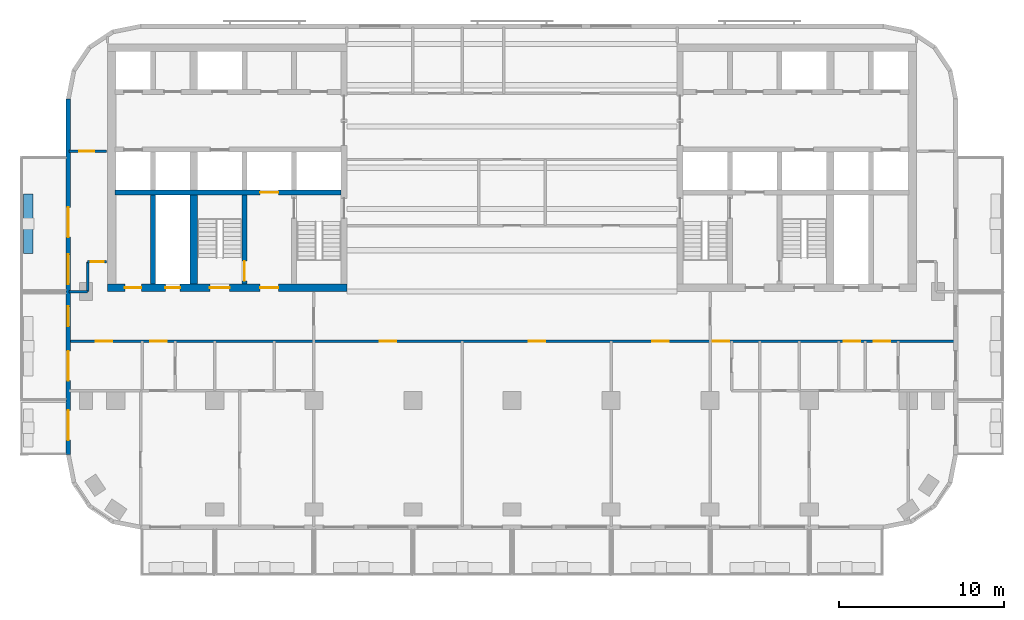
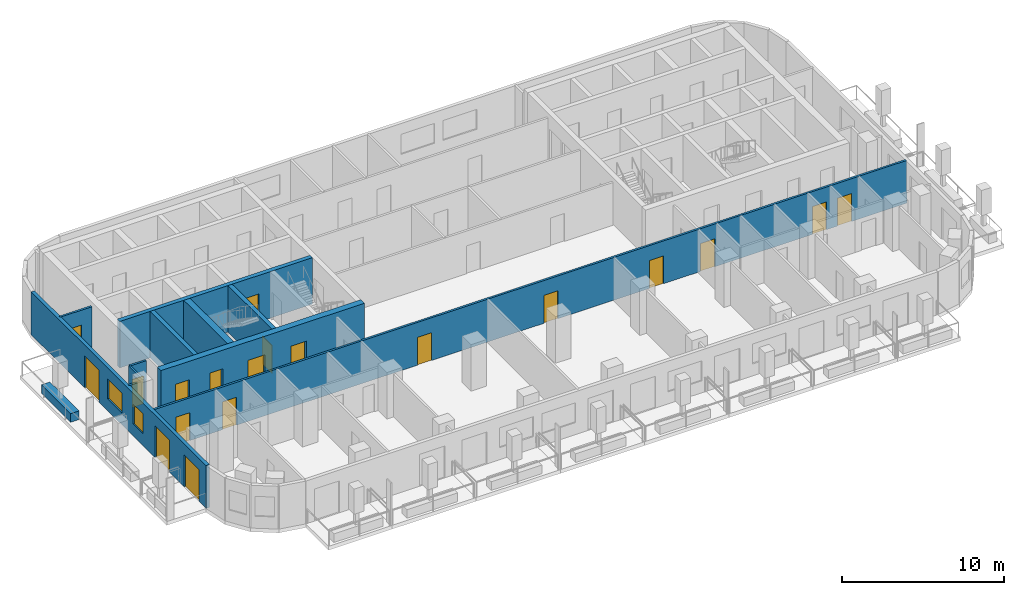
# One storey, part 3 of 11: 19 doors, 12 walls, 2 windows, 21 openings.
"""IFC4 building model written with IfcOpenShell, lengths in metres."""

from ifc_helpers import new_model, si_unit, direction, frame, frame_2d, origin, place, context, subcontext, project, spatial, rectangle, extrude, material, layer, layer_set, type_object, element, fill, save


model = new_model("IFC4")

# Units and contexts
model_context = context("Model", 3, precision=1e-05, world=origin(), true_north=direction((0.0, 1.0)))
body_context = subcontext(model_context, "Body", "Model", "MODEL_VIEW")
ifc_project = project(units=[si_unit("LENGTHUNIT", "METRE"), si_unit("AREAUNIT", "SQUARE_METRE"), si_unit("VOLUMEUNIT", "CUBIC_METRE"), si_unit("PLANEANGLEUNIT", "RADIAN"), si_unit("MASSUNIT", "GRAM", prefix="KILO")], contexts=[model_context])

# Site, building, storey
site_placement = place(None, origin())
site = spatial("IfcSite", under=ifc_project, at=site_placement, CompositionType="ELEMENT")
building_placement = place(site_placement, origin())
building = spatial("IfcBuilding", under=site, at=building_placement, Name="Torana Hotel and Residences", CompositionType="ELEMENT")
storey_placement = place(building_placement, frame((0.0, 0.0, 232.60009765625)))
storey = spatial("IfcBuildingStorey", under=building, at=storey_placement, Name="L61", CompositionType="ELEMENT", Elevation=232.60009765625)

# Wall, opening, door
ifc_material_1 = material(Name="Concrete C70/85", Category="concrete")
ifc_layer_1 = layer(ifc_material_1, 0.300048828125)
ifc_layer_set_1 = layer_set([ifc_layer_1], Name="CORE WALL 300 C70/85")
wall_type_1 = type_object("IfcWallType", Name="CORE WALL 300 C70/85", PredefinedType="SHEAR", material=ifc_layer_set_1)
wall_1_placement = place(storey_placement, frame((-24.050048828125, -9.0, 0.0), z_axis=(0.0, 0.0, 1.0), x_axis=(1.0, 0.0, 0.0)))
wall_1 = element("IfcWall", 1, at=wall_1_placement, inside=storey, type_object=wall_type_1, Name="Core wall W band", PredefinedType="SHEAR", context=body_context, shape_type="SweptSolid", body=[
    extrude(rectangle(XDim=13.699951171875, YDim=0.300048828125, at=frame_2d((6.85009765625, 0.0))), origin(), (0.0, 0.0, 1.0), 3.5),
])
opening_1_placement = place(wall_1_placement, frame((8.800048828125, 0.0, 0.0)))
opening_1 = element("IfcOpeningElement", 2, at=opening_1_placement, cuts=wall_1, Name="Opening LD", PredefinedType="OPENING", context=body_context, shape_type="SweptSolid", body=[
    extrude(rectangle(XDim=1.10009765625, YDim=2.10009765625, at=frame_2d((0.550048828125, 1.050048828125))), frame((0.0, 0.159912109375, 0.0), z_axis=(0.0, -1.0, 0.0), x_axis=(1.0, 0.0, 0.0)), (0.0, 0.0, 1.0), 0.320068359375),
])
ifc_material_2 = material(Name="Stainless steel 316", Category="steel")
door_type_1 = type_object("IfcDoorType", Name="LIFT LANDING DOOR LD 1100x2100", OperationType="DOUBLE_DOOR_SLIDING", PredefinedType="USERDEFINED", material=ifc_material_2)
door_1_placement = place(opening_1_placement, origin())
door_1 = element("IfcDoor", 3, at=door_1_placement, inside=storey, type_object=door_type_1, Name="Lift landing door FF1 L61", ObjectType="LIFT LANDING DOOR", OperationType="DOUBLE_DOOR_SLIDING", OverallHeight=2.10009765625, OverallWidth=1.10009765625, PredefinedType="USERDEFINED", context=body_context, shape_type="SweptSolid", body=[
    extrude(rectangle(XDim=1.10009765625, YDim=2.10009765625, at=frame_2d((0.550048828125, 1.050048828125))), frame((0.0, 0.02490234375, 0.0), z_axis=(0.0, -1.0, 0.0), x_axis=(1.0, 0.0, 0.0)), (0.0, 0.0, 1.0), 0.050048828125),
])
fill(opening_1, door_1)

wall_2_placement = place(storey_placement, frame((-16.199951171875, -14.550048828125, 0.0), z_axis=(0.0, 0.0, 1.0), x_axis=(0.0, 1.0, 0.0)))
wall_2 = element("IfcWall", 4, at=wall_2_placement, inside=storey, type_object=wall_type_1, Name="Core wall W x6.05-band", PredefinedType="SHEAR", context=body_context, shape_type="SweptSolid", body=[
    extrude(rectangle(XDim=5.400146484375, YDim=0.300048828125, at=frame_2d((2.7001953125, 0.0))), origin(), (0.0, 0.0, 1.0), 3.5),
])
opening_2_placement = place(wall_2_placement, frame((0.199951171875, 0.0, 0.0)))
opening_2 = element("IfcOpeningElement", 5, at=opening_2_placement, cuts=wall_2, Name="Opening L61-13", PredefinedType="OPENING", context=body_context, shape_type="SweptSolid", body=[
    extrude(rectangle(XDim=1.199951171875, YDim=2.10009765625, at=frame_2d((0.60009765625, 1.050048828125))), frame((0.0, 0.159912109375, 0.0), z_axis=(0.0, -1.0, 0.0), x_axis=(1.0, 0.0, 0.0)), (0.0, 0.0, 1.0), 0.320068359375),
])
ifc_material_3 = material(Name="Steel S235", Category="steel")
door_type_2 = type_object("IfcDoorType", Name="STAIR FIRE DOOR D3 1200x2100", OperationType="SINGLE_SWING_LEFT", PredefinedType="DOOR", material=ifc_material_3)
door_2_placement = place(opening_2_placement, origin())
door_2 = element("IfcDoor", 6, at=door_2_placement, inside=storey, type_object=door_type_2, Name="Stair-B-lobby door L61", OperationType="SINGLE_SWING_RIGHT", OverallHeight=2.10009765625, OverallWidth=1.199951171875, PredefinedType="DOOR", context=body_context, shape_type="SweptSolid", body=[
    extrude(rectangle(XDim=1.199951171875, YDim=2.10009765625, at=frame_2d((0.60009765625, 1.050048828125))), frame((0.0, 0.02490234375, 0.0), z_axis=(0.0, -1.0, 0.0), x_axis=(1.0, 0.0, 0.0)), (0.0, 0.0, 1.0), 0.050048828125),
])
fill(opening_2, door_2)

# Wall
wall_3_placement = place(storey_placement, frame((-21.75, -14.550048828125, 0.0), z_axis=(0.0, 0.0, 1.0), x_axis=(0.0, 1.0, 0.0)))
element("IfcWall", 7, at=wall_3_placement, inside=storey, type_object=wall_type_1, Name="Core wall W mm-band", PredefinedType="SHEAR", context=body_context, shape_type="SweptSolid", body=[
    extrude(rectangle(XDim=5.400146484375, YDim=0.300048828125, at=frame_2d((2.7001953125, 0.0))), origin(), (0.0, 0.0, 1.0), 3.5),
])

# Wall, openings, doors
ifc_material_4 = material(Name="Concrete C70/85", Category="concrete")
ifc_layer_2 = layer(ifc_material_4, 0.449951171875)
ifc_layer_set_2 = layer_set([ifc_layer_2], Name="CORE WALL 450 C70/85")
wall_type_2 = type_object("IfcWallType", Name="CORE WALL 450 C70/85", PredefinedType="SHEAR", material=ifc_layer_set_2)
wall_4_placement = place(storey_placement, frame((-24.5, -14.77490234375, 0.0), z_axis=(0.0, 0.0, 1.0), x_axis=(1.0, 0.0, 0.0)))
wall_4 = element("IfcWall", 8, at=wall_4_placement, inside=storey, type_object=wall_type_2, Name="Core wall W front", PredefinedType="SHEAR", context=body_context, shape_type="SweptSolid", body=[
    extrude(rectangle(XDim=14.5, YDim=0.449951171875, at=frame_2d((7.25, 0.0))), origin(), (0.0, 0.0, 1.0), 3.5),
])
opening_3_placement = place(wall_4_placement, frame((6.199951171875, 0.0, 0.0)))
opening_3 = element("IfcOpeningElement", 9, at=opening_3_placement, cuts=wall_4, Name="Opening L61-04", PredefinedType="OPENING", context=body_context, shape_type="SweptSolid", body=[
    extrude(rectangle(XDim=1.199951171875, YDim=2.10009765625, at=frame_2d((0.60009765625, 1.050048828125))), frame((0.0, 0.23486328125, 0.0), z_axis=(0.0, -1.0, 0.0), x_axis=(1.0, 0.0, 0.0)), (0.0, 0.0, 1.0), 0.469970703125),
])
opening_4_placement = place(wall_4_placement, frame((9.25, 0.0, 0.0)))
opening_4 = element("IfcOpeningElement", 10, at=opening_4_placement, cuts=wall_4, Name="Opening L61-05", PredefinedType="OPENING", context=body_context, shape_type="SweptSolid", body=[
    extrude(rectangle(XDim=1.10009765625, YDim=2.10009765625, at=frame_2d((0.550048828125, 1.050048828125))), frame((0.0, 0.23486328125, 0.0), z_axis=(0.0, -1.0, 0.0), x_axis=(1.0, 0.0, 0.0)), (0.0, 0.0, 1.0), 0.469970703125),
])
opening_5_placement = place(wall_4_placement, frame((3.5, 0.0, 0.0)))
opening_5 = element("IfcOpeningElement", 11, at=opening_5_placement, cuts=wall_4, Name="Opening L61-06", PredefinedType="OPENING", context=body_context, shape_type="SweptSolid", body=[
    extrude(rectangle(XDim=0.89990234375, YDim=2.10009765625, at=frame_2d((0.449951171875, 1.050048828125))), frame((0.0, 0.23486328125, 0.0), z_axis=(0.0, -1.0, 0.0), x_axis=(1.0, 0.0, 0.0)), (0.0, 0.0, 1.0), 0.469970703125),
])
opening_6_placement = place(wall_4_placement, frame((1.050048828125, 0.0, 0.0)))
opening_6 = element("IfcOpeningElement", 12, at=opening_6_placement, cuts=wall_4, Name="Opening L61-07", PredefinedType="OPENING", context=body_context, shape_type="SweptSolid", body=[
    extrude(rectangle(XDim=1.0, YDim=2.10009765625, at=frame_2d((0.5, 1.050048828125))), frame((0.0, 0.23486328125, 0.0), z_axis=(0.0, -1.0, 0.0), x_axis=(1.0, 0.0, 0.0)), (0.0, 0.0, 1.0), 0.469970703125),
])
ifc_material_5 = material(Name="Steel S235", Category="steel")
door_type_3 = type_object("IfcDoorType", Name="CORE ROOM FIRE DOOR D14 1000x2100", OperationType="SINGLE_SWING_LEFT", PredefinedType="DOOR", material=ifc_material_5)
door_3_placement = place(opening_6_placement, origin())
door_3 = element("IfcDoor", 13, at=door_3_placement, inside=storey, type_object=door_type_3, Name="M-Room door L61", OperationType="SINGLE_SWING_RIGHT", OverallHeight=2.10009765625, OverallWidth=1.0, PredefinedType="DOOR", context=body_context, shape_type="SweptSolid", body=[
    extrude(rectangle(XDim=1.0, YDim=2.10009765625, at=frame_2d((0.5, 1.050048828125))), frame((0.0, 0.02490234375, 0.0), z_axis=(0.0, -1.0, 0.0), x_axis=(1.0, 0.0, 0.0)), (0.0, 0.0, 1.0), 0.050048828125),
])
fill(opening_6, door_3)
ifc_material_6 = material(Name="Steel S235", Category="steel")
door_type_4 = type_object("IfcDoorType", Name="FIRE-FIGHTING LOBBY DOOR D8 1100x2100", OperationType="SINGLE_SWING_LEFT", PredefinedType="DOOR", material=ifc_material_6)
door_4_placement = place(opening_4_placement, origin())
door_4 = element("IfcDoor", 14, at=door_4_placement, inside=storey, type_object=door_type_4, Name="FF-lobby door L61", OperationType="SINGLE_SWING_RIGHT", OverallHeight=2.10009765625, OverallWidth=1.10009765625, PredefinedType="DOOR", context=body_context, shape_type="SweptSolid", body=[
    extrude(rectangle(XDim=1.10009765625, YDim=2.10009765625, at=frame_2d((0.550048828125, 1.050048828125))), frame((0.0, 0.02490234375, 0.0), z_axis=(0.0, -1.0, 0.0), x_axis=(1.0, 0.0, 0.0)), (0.0, 0.0, 1.0), 0.050048828125),
])
fill(opening_4, door_4)
ifc_material_7 = material(Name="Steel S235", Category="steel")
door_type_5 = type_object("IfcDoorType", Name="RISER ACCESS DOOR D5 900x2100", OperationType="SINGLE_SWING_LEFT", PredefinedType="DOOR", material=ifc_material_7)
door_5_placement = place(opening_5_placement, origin())
door_5 = element("IfcDoor", 15, at=door_5_placement, inside=storey, type_object=door_type_5, Name="M-Riser door L61", OperationType="SINGLE_SWING_RIGHT", OverallHeight=2.10009765625, OverallWidth=0.89990234375, PredefinedType="DOOR", context=body_context, shape_type="SweptSolid", body=[
    extrude(rectangle(XDim=0.89990234375, YDim=2.10009765625, at=frame_2d((0.449951171875, 1.050048828125))), frame((0.0, 0.02490234375, 0.0), z_axis=(0.0, -1.0, 0.0), x_axis=(1.0, 0.0, 0.0)), (0.0, 0.0, 1.0), 0.050048828125),
])
fill(opening_5, door_5)
door_6_placement = place(opening_3_placement, origin())
door_6 = element("IfcDoor", 16, at=door_6_placement, inside=storey, type_object=door_type_2, Name="Stair-B door L61", OperationType="SINGLE_SWING_RIGHT", OverallHeight=2.10009765625, OverallWidth=1.199951171875, PredefinedType="DOOR", context=body_context, shape_type="SweptSolid", body=[
    extrude(rectangle(XDim=1.199951171875, YDim=2.10009765625, at=frame_2d((0.60009765625, 1.050048828125))), frame((0.0, 0.02490234375, 0.0), z_axis=(0.0, -1.0, 0.0), x_axis=(1.0, 0.0, 0.0)), (0.0, 0.0, 1.0), 0.050048828125),
])
fill(opening_3, door_6)

# Wall
wall_5_placement = place(storey_placement, frame((-19.27490234375, -14.550048828125, 0.0), z_axis=(0.0, 0.0, 1.0), x_axis=(0.0, 1.0, 0.0)))
element("IfcWall", 17, at=wall_5_placement, inside=storey, type_object=wall_type_2, Name="Core wall W hm-band", PredefinedType="SHEAR", context=body_context, shape_type="SweptSolid", body=[
    extrude(rectangle(XDim=5.400146484375, YDim=0.449951171875, at=frame_2d((2.7001953125, 0.0))), origin(), (0.0, 0.0, 1.0), 3.5),
])

# Wall, openings, doors, windows
ifc_material_8 = material(Name="Black aluminium composite panel", Category="aluminium")
ifc_layer_3 = layer(ifc_material_8, 0.00390625, Name="Cladding", Category="cladding")
ifc_material_9 = material(Name="Ventilated air cavity")
ifc_layer_4 = layer(ifc_material_9, 0.0400390625, Name="Ventilated cavity", Category="cavity")
ifc_material_10 = material(Name="Mineral wool insulation")
ifc_layer_5 = layer(ifc_material_10, 0.090087890625, Name="Insulation", Category="insulation")
ifc_material_11 = material(Name="Steel S280GD", Category="steel")
ifc_layer_6 = layer(ifc_material_11, 0.092041015625, Name="Steel stud frame", Category="structure")
ifc_material_12 = material(Name="Fire rated plasterboard")
ifc_layer_7 = layer(ifc_material_12, 0.011962890625, Name="Inner board", Category="finish")
ifc_layer_8 = layer(ifc_material_12, 0.011962890625, Name="Second board", Category="finish")
ifc_layer_set_3 = layer_set([ifc_layer_3, ifc_layer_4, ifc_layer_5, ifc_layer_6, ifc_layer_7, ifc_layer_8], Name="EW1 EXTERNAL WALL BLACK METAL CLAD 250")
wall_type_3 = type_object("IfcWallType", Name="EW1 EXTERNAL WALL BLACK METAL CLAD 250", PredefinedType="SOLIDWALL", material=ifc_layer_set_3)
wall_6_placement = place(storey_placement, frame((-26.875, -3.32470703125, 0.0), z_axis=(0.0, 0.0, 1.0), x_axis=(0.0, -1.0, 0.0)))
wall_6 = element("IfcWall", 18, at=wall_6_placement, inside=storey, type_object=wall_type_3, Name="External wall L61 e0.9", PredefinedType="SOLIDWALL", context=body_context, shape_type="SweptSolid", body=[
    extrude(rectangle(XDim=21.55078125, YDim=0.25, at=frame_2d((10.775390625, 0.0))), origin(), (0.0, 0.0, 1.0), 3.219970703125),
])
opening_7_placement = place(wall_6_placement, frame((6.575439453125, 0.0, 0.0)))
opening_7 = element("IfcOpeningElement", 19, at=opening_7_placement, cuts=wall_6, Name="Opening L61-E12", PredefinedType="OPENING", context=body_context, shape_type="SweptSolid", body=[
    extrude(rectangle(XDim=1.800048828125, YDim=2.39990234375, at=frame_2d((0.89990234375, 1.199951171875))), frame((0.0, 0.135009765625, 0.0), z_axis=(0.0, -1.0, 0.0), x_axis=(1.0, 0.0, 0.0)), (0.0, 0.0, 1.0), 0.27001953125),
])
opening_8_placement = place(wall_6_placement, frame((9.42529296875, 0.0, 0.89990234375)))
opening_8 = element("IfcOpeningElement", 20, at=opening_8_placement, cuts=wall_6, Name="Opening W4", PredefinedType="OPENING", context=body_context, shape_type="SweptSolid", body=[
    extrude(rectangle(XDim=1.800048828125, YDim=1.5, at=frame_2d((0.89990234375, 0.75))), frame((0.0, 0.135009765625, 0.0), z_axis=(0.0, -1.0, 0.0), x_axis=(1.0, 0.0, 0.0)), (0.0, 0.0, 1.0), 0.27001953125),
])
opening_9_placement = place(wall_6_placement, frame((12.575439453125, 0.0, 0.89990234375)))
opening_9 = element("IfcOpeningElement", 21, at=opening_9_placement, cuts=wall_6, Name="Opening W5", PredefinedType="OPENING", context=body_context, shape_type="SweptSolid", body=[
    extrude(rectangle(XDim=1.199951171875, YDim=1.5, at=frame_2d((0.60009765625, 0.75))), frame((0.0, 0.135009765625, 0.0), z_axis=(0.0, -1.0, 0.0), x_axis=(1.0, 0.0, 0.0)), (0.0, 0.0, 1.0), 0.27001953125),
])
opening_10_placement = place(wall_6_placement, frame((15.275390625, 0.0, 0.0)))
opening_10 = element("IfcOpeningElement", 22, at=opening_10_placement, cuts=wall_6, Name="Opening L61-E13", PredefinedType="OPENING", context=body_context, shape_type="SweptSolid", body=[
    extrude(rectangle(XDim=1.800048828125, YDim=2.39990234375, at=frame_2d((0.89990234375, 1.199951171875))), frame((0.0, 0.135009765625, 0.0), z_axis=(0.0, -1.0, 0.0), x_axis=(1.0, 0.0, 0.0)), (0.0, 0.0, 1.0), 0.27001953125),
])
opening_11_placement = place(wall_6_placement, frame((18.87548828125, 0.0, 0.0)))
opening_11 = element("IfcOpeningElement", 23, at=opening_11_placement, cuts=wall_6, Name="Opening L61-E14", PredefinedType="OPENING", context=body_context, shape_type="SweptSolid", body=[
    extrude(rectangle(XDim=1.800048828125, YDim=2.39990234375, at=frame_2d((0.89990234375, 1.199951171875))), frame((0.0, 0.135009765625, 0.0), z_axis=(0.0, -1.0, 0.0), x_axis=(1.0, 0.0, 0.0)), (0.0, 0.0, 1.0), 0.27001953125),
])
ifc_material_13 = material(Name="Dark glass in black aluminium frame", Category="aluminium")
door_type_6 = type_object("IfcDoorType", Name="DB1 BALCONY DOOR 1800x2400", OperationType="DOUBLE_DOOR_SINGLE_SWING", PredefinedType="DOOR", material=ifc_material_13)
door_7_placement = place(opening_7_placement, origin())
door_7 = element("IfcDoor", 24, at=door_7_placement, inside=storey, type_object=door_type_6, Name="Balcony door L61", OperationType="DOUBLE_DOOR_SINGLE_SWING", OverallHeight=2.39990234375, OverallWidth=1.800048828125, PredefinedType="DOOR", context=body_context, shape_type="SweptSolid", body=[
    extrude(rectangle(XDim=1.800048828125, YDim=2.39990234375, at=frame_2d((0.89990234375, 1.199951171875))), frame((0.0, 0.02490234375, 0.0), z_axis=(0.0, -1.0, 0.0), x_axis=(1.0, 0.0, 0.0)), (0.0, 0.0, 1.0), 0.050048828125),
])
fill(opening_7, door_7)
door_8_placement = place(opening_10_placement, origin())
door_8 = element("IfcDoor", 25, at=door_8_placement, inside=storey, type_object=door_type_6, Name="Balcony door L61", OperationType="DOUBLE_DOOR_SINGLE_SWING", OverallHeight=2.39990234375, OverallWidth=1.800048828125, PredefinedType="DOOR", context=body_context, shape_type="SweptSolid", body=[
    extrude(rectangle(XDim=1.800048828125, YDim=2.39990234375, at=frame_2d((0.89990234375, 1.199951171875))), frame((0.0, 0.02490234375, 0.0), z_axis=(0.0, -1.0, 0.0), x_axis=(1.0, 0.0, 0.0)), (0.0, 0.0, 1.0), 0.050048828125),
])
fill(opening_10, door_8)
door_9_placement = place(opening_11_placement, origin())
door_9 = element("IfcDoor", 26, at=door_9_placement, inside=storey, type_object=door_type_6, Name="Balcony door L61", OperationType="DOUBLE_DOOR_SINGLE_SWING", OverallHeight=2.39990234375, OverallWidth=1.800048828125, PredefinedType="DOOR", context=body_context, shape_type="SweptSolid", body=[
    extrude(rectangle(XDim=1.800048828125, YDim=2.39990234375, at=frame_2d((0.89990234375, 1.199951171875))), frame((0.0, 0.02490234375, 0.0), z_axis=(0.0, -1.0, 0.0), x_axis=(1.0, 0.0, 0.0)), (0.0, 0.0, 1.0), 0.050048828125),
])
fill(opening_11, door_9)
ifc_material_14 = material(Name="Dark glass in black aluminium frame", Category="aluminium")
window_type_1 = type_object("IfcWindowType", Name="W4 RESIDENCE WINDOW NARROW 1800x1500", PartitioningType="SINGLE_PANEL", PredefinedType="WINDOW", material=ifc_material_14)
window_1_placement = place(opening_8_placement, origin())
window_1 = element("IfcWindow", 27, at=window_1_placement, inside=storey, type_object=window_type_1, Name="Window L61", OverallHeight=1.5, OverallWidth=1.800048828125, PartitioningType="SINGLE_PANEL", PredefinedType="WINDOW", context=body_context, shape_type="SweptSolid", body=[
    extrude(rectangle(XDim=1.800048828125, YDim=1.5, at=frame_2d((0.89990234375, 0.75))), frame((0.0, 0.030029296875, 0.0), z_axis=(0.0, -1.0, 0.0), x_axis=(1.0, 0.0, 0.0)), (0.0, 0.0, 1.0), 0.06005859375),
])
fill(opening_8, window_1)
ifc_material_15 = material(Name="Dark glass in black aluminium frame", Category="aluminium")
window_type_2 = type_object("IfcWindowType", Name="W5 CORNER FACET WINDOW 1200x1500", PartitioningType="SINGLE_PANEL", PredefinedType="WINDOW", material=ifc_material_15)
window_2_placement = place(opening_9_placement, origin())
window_2 = element("IfcWindow", 28, at=window_2_placement, inside=storey, type_object=window_type_2, Name="Window L61", OverallHeight=1.5, OverallWidth=1.199951171875, PartitioningType="SINGLE_PANEL", PredefinedType="WINDOW", context=body_context, shape_type="SweptSolid", body=[
    extrude(rectangle(XDim=1.199951171875, YDim=1.5, at=frame_2d((0.60009765625, 0.75))), frame((0.0, 0.030029296875, 0.0), z_axis=(0.0, -1.0, 0.0), x_axis=(1.0, 0.0, 0.0)), (0.0, 0.0, 1.0), 0.06005859375),
])
fill(opening_9, window_2)

# Wall
ifc_material_16 = material(Name="Gypsum plaster")
ifc_layer_9 = layer(ifc_material_16, 0.014892578125, Name="Plaster", Category="finish")
ifc_material_17 = material(Name="Concrete blockwork", Category="masonry")
ifc_layer_10 = layer(ifc_material_17, 0.1201171875, Name="Blockwork", Category="structure")
ifc_layer_11 = layer(ifc_material_16, 0.014892578125, Name="Plaster", Category="finish")
ifc_layer_set_4 = layer_set([ifc_layer_9, ifc_layer_10, ifc_layer_11], Name="FIRE PARTITION 150 BLOCKWORK")
wall_type_4 = type_object("IfcWallType", Name="FIRE PARTITION 150 BLOCKWORK", PredefinedType="PARTITIONING", material=ifc_layer_set_4)
wall_7_placement = place(storey_placement, frame((-25.699951171875, -15.0, 0.0), z_axis=(0.0, 0.0, 1.0), x_axis=(0.0, 1.0, 0.0)))
element("IfcWall", 29, at=wall_7_placement, inside=storey, type_object=wall_type_4, Name="Partition L61", PredefinedType="PARTITIONING", context=body_context, shape_type="SweptSolid", body=[
    extrude(rectangle(XDim=1.800048828125, YDim=0.14990234375, at=frame_2d((0.89990234375, 0.0))), origin(), (0.0, 0.0, 1.0), 3.219970703125),
])

# Wall, openings, doors
wall_8_placement = place(storey_placement, frame((-26.820068359375, -18.0, 0.0), z_axis=(0.0, 0.0, 1.0), x_axis=(1.0, 0.0, 0.0)))
wall_8 = element("IfcWall", 30, at=wall_8_placement, inside=storey, type_object=wall_type_4, Name="Partition L61", PredefinedType="PARTITIONING", context=body_context, shape_type="SweptSolid", body=[
    extrude(rectangle(XDim=53.64013671875, YDim=0.14990234375, at=frame_2d((26.820068359375, 0.0))), origin(), (0.0, 0.0, 1.0), 3.219970703125),
])
opening_12_placement = place(wall_8_placement, frame((4.919921875, 0.0, 0.0)))
opening_12 = element("IfcOpeningElement", 31, at=opening_12_placement, cuts=wall_8, Name="Opening L61-28", PredefinedType="OPENING", context=body_context, shape_type="SweptSolid", body=[
    extrude(rectangle(XDim=1.0, YDim=2.10009765625, at=frame_2d((0.5, 1.050048828125))), frame((0.0, 0.0849609375, 0.0), z_axis=(0.0, -1.0, 0.0), x_axis=(1.0, 0.0, 0.0)), (0.0, 0.0, 1.0), 0.169921875),
])
opening_13_placement = place(wall_8_placement, frame((1.6201171875, 0.0, 0.0)))
opening_13 = element("IfcOpeningElement", 32, at=opening_13_placement, cuts=wall_8, Name="Opening L61-29", PredefinedType="OPENING", context=body_context, shape_type="SweptSolid", body=[
    extrude(rectangle(XDim=1.0, YDim=2.10009765625, at=frame_2d((0.5, 1.050048828125))), frame((0.0, 0.0849609375, 0.0), z_axis=(0.0, -1.0, 0.0), x_axis=(1.0, 0.0, 0.0)), (0.0, 0.0, 1.0), 0.169921875),
])
opening_14_placement = place(wall_8_placement, frame((38.969970703125, 0.0, 0.0)))
opening_14 = element("IfcOpeningElement", 33, at=opening_14_placement, cuts=wall_8, Name="Opening L61-32", PredefinedType="OPENING", context=body_context, shape_type="SweptSolid", body=[
    extrude(rectangle(XDim=1.0, YDim=2.10009765625, at=frame_2d((0.5, 1.050048828125))), frame((0.0, 0.0849609375, 0.0), z_axis=(0.0, -1.0, 0.0), x_axis=(1.0, 0.0, 0.0)), (0.0, 0.0, 1.0), 0.169921875),
])
opening_15_placement = place(wall_8_placement, frame((48.719970703125, 0.0, 0.0)))
opening_15 = element("IfcOpeningElement", 34, at=opening_15_placement, cuts=wall_8, Name="Opening L61-33", PredefinedType="OPENING", context=body_context, shape_type="SweptSolid", body=[
    extrude(rectangle(XDim=1.0, YDim=2.10009765625, at=frame_2d((0.5, 1.050048828125))), frame((0.0, 0.0849609375, 0.0), z_axis=(0.0, -1.0, 0.0), x_axis=(1.0, 0.0, 0.0)), (0.0, 0.0, 1.0), 0.169921875),
])
opening_16_placement = place(wall_8_placement, frame((46.919921875, 0.0, 0.0)))
opening_16 = element("IfcOpeningElement", 35, at=opening_16_placement, cuts=wall_8, Name="Opening L61-34", PredefinedType="OPENING", context=body_context, shape_type="SweptSolid", body=[
    extrude(rectangle(XDim=1.0, YDim=2.10009765625, at=frame_2d((0.5, 1.050048828125))), frame((0.0, 0.0849609375, 0.0), z_axis=(0.0, -1.0, 0.0), x_axis=(1.0, 0.0, 0.0)), (0.0, 0.0, 1.0), 0.169921875),
])
opening_17_placement = place(wall_8_placement, frame((18.820068359375, 0.0, 0.0)))
opening_17 = element("IfcOpeningElement", 36, at=opening_17_placement, cuts=wall_8, Name="Opening L61-37", PredefinedType="OPENING", context=body_context, shape_type="SweptSolid", body=[
    extrude(rectangle(XDim=1.0, YDim=2.10009765625, at=frame_2d((0.5, 1.050048828125))), frame((0.0, 0.0849609375, 0.0), z_axis=(0.0, -1.0, 0.0), x_axis=(1.0, 0.0, 0.0)), (0.0, 0.0, 1.0), 0.169921875),
])
opening_18_placement = place(wall_8_placement, frame((27.820068359375, 0.0, 0.0)))
opening_18 = element("IfcOpeningElement", 37, at=opening_18_placement, cuts=wall_8, Name="Opening L61-38", PredefinedType="OPENING", context=body_context, shape_type="SweptSolid", body=[
    extrude(rectangle(XDim=1.0, YDim=2.10009765625, at=frame_2d((0.5, 1.050048828125))), frame((0.0, 0.0849609375, 0.0), z_axis=(0.0, -1.0, 0.0), x_axis=(1.0, 0.0, 0.0)), (0.0, 0.0, 1.0), 0.169921875),
])
opening_19_placement = place(wall_8_placement, frame((35.320068359375, 0.0, 0.0)))
opening_19 = element("IfcOpeningElement", 38, at=opening_19_placement, cuts=wall_8, Name="Opening L61-39", PredefinedType="OPENING", context=body_context, shape_type="SweptSolid", body=[
    extrude(rectangle(XDim=1.0, YDim=2.10009765625, at=frame_2d((0.5, 1.050048828125))), frame((0.0, 0.0849609375, 0.0), z_axis=(0.0, -1.0, 0.0), x_axis=(1.0, 0.0, 0.0)), (0.0, 0.0, 1.0), 0.169921875),
])
ifc_material_18 = material(Name="Steel S235", Category="steel")
door_type_7 = type_object("IfcDoorType", Name="ENTRY FIRE DOOR D6 1000x2100", OperationType="SINGLE_SWING_LEFT", PredefinedType="DOOR", material=ifc_material_18)
door_10_placement = place(opening_12_placement, origin())
door_10 = element("IfcDoor", 39, at=door_10_placement, inside=storey, type_object=door_type_7, Name="Door L61", OperationType="SINGLE_SWING_RIGHT", OverallHeight=2.10009765625, OverallWidth=1.0, PredefinedType="DOOR", context=body_context, shape_type="SweptSolid", body=[
    extrude(rectangle(XDim=1.0, YDim=2.10009765625, at=frame_2d((0.5, 1.050048828125))), frame((0.0, 0.02490234375, 0.0), z_axis=(0.0, -1.0, 0.0), x_axis=(1.0, 0.0, 0.0)), (0.0, 0.0, 1.0), 0.050048828125),
])
fill(opening_12, door_10)
door_11_placement = place(opening_13_placement, frame((0.5, 0.0, 0.0), z_axis=(0.0, 0.0, 1.0), x_axis=(-1.0, 0.0, 0.0)))
door_11 = element("IfcDoor", 40, at=door_11_placement, inside=storey, type_object=door_type_7, Name="Door L61", OperationType="SINGLE_SWING_LEFT", OverallHeight=2.10009765625, OverallWidth=1.0, PredefinedType="DOOR", context=body_context, shape_type="SweptSolid", body=[
    extrude(rectangle(XDim=1.0, YDim=2.10009765625, at=frame_2d((0.0, 1.050048828125))), frame((0.0, -0.02490234375, 0.0), z_axis=(0.0, 1.0, 0.0), x_axis=(-1.0, 0.0, 0.0)), (0.0, 0.0, 1.0), 0.050048828125),
])
fill(opening_13, door_11)
door_12_placement = place(opening_14_placement, frame((0.5, 0.0, 0.0), z_axis=(0.0, 0.0, 1.0), x_axis=(-1.0, 0.0, 0.0)))
door_12 = element("IfcDoor", 41, at=door_12_placement, inside=storey, type_object=door_type_7, Name="Door L61", OperationType="SINGLE_SWING_LEFT", OverallHeight=2.10009765625, OverallWidth=1.0, PredefinedType="DOOR", context=body_context, shape_type="SweptSolid", body=[
    extrude(rectangle(XDim=1.0, YDim=2.10009765625, at=frame_2d((0.0, 1.050048828125))), frame((0.0, -0.02490234375, 0.0), z_axis=(0.0, 1.0, 0.0), x_axis=(-1.0, 0.0, 0.0)), (0.0, 0.0, 1.0), 0.050048828125),
])
fill(opening_14, door_12)
door_13_placement = place(opening_15_placement, origin())
door_13 = element("IfcDoor", 42, at=door_13_placement, inside=storey, type_object=door_type_7, Name="Door L61", OperationType="SINGLE_SWING_RIGHT", OverallHeight=2.10009765625, OverallWidth=1.0, PredefinedType="DOOR", context=body_context, shape_type="SweptSolid", body=[
    extrude(rectangle(XDim=1.0, YDim=2.10009765625, at=frame_2d((0.5, 1.050048828125))), frame((0.0, 0.02490234375, 0.0), z_axis=(0.0, -1.0, 0.0), x_axis=(1.0, 0.0, 0.0)), (0.0, 0.0, 1.0), 0.050048828125),
])
fill(opening_15, door_13)
door_14_placement = place(opening_16_placement, frame((0.5, 0.0, 0.0), z_axis=(0.0, 0.0, 1.0), x_axis=(-1.0, 0.0, 0.0)))
door_14 = element("IfcDoor", 43, at=door_14_placement, inside=storey, type_object=door_type_7, Name="Door L61", OperationType="SINGLE_SWING_LEFT", OverallHeight=2.10009765625, OverallWidth=1.0, PredefinedType="DOOR", context=body_context, shape_type="SweptSolid", body=[
    extrude(rectangle(XDim=1.0, YDim=2.10009765625, at=frame_2d((0.0, 1.050048828125))), frame((0.0, -0.02490234375, 0.0), z_axis=(0.0, 1.0, 0.0), x_axis=(-1.0, 0.0, 0.0)), (0.0, 0.0, 1.0), 0.050048828125),
])
fill(opening_16, door_14)
door_15_placement = place(opening_17_placement, frame((0.5, 0.0, 0.0), z_axis=(0.0, 0.0, 1.0), x_axis=(-1.0, 0.0, 0.0)))
door_15 = element("IfcDoor", 44, at=door_15_placement, inside=storey, type_object=door_type_7, Name="Door L61", OperationType="SINGLE_SWING_LEFT", OverallHeight=2.10009765625, OverallWidth=1.0, PredefinedType="DOOR", context=body_context, shape_type="SweptSolid", body=[
    extrude(rectangle(XDim=1.0, YDim=2.10009765625, at=frame_2d((0.0, 1.050048828125))), frame((0.0, -0.02490234375, 0.0), z_axis=(0.0, 1.0, 0.0), x_axis=(-1.0, 0.0, 0.0)), (0.0, 0.0, 1.0), 0.050048828125),
])
fill(opening_17, door_15)
door_16_placement = place(opening_18_placement, frame((0.5, 0.0, 0.0), z_axis=(0.0, 0.0, 1.0), x_axis=(-1.0, 0.0, 0.0)))
door_16 = element("IfcDoor", 45, at=door_16_placement, inside=storey, type_object=door_type_7, Name="Door L61", OperationType="SINGLE_SWING_LEFT", OverallHeight=2.10009765625, OverallWidth=1.0, PredefinedType="DOOR", context=body_context, shape_type="SweptSolid", body=[
    extrude(rectangle(XDim=1.0, YDim=2.10009765625, at=frame_2d((0.0, 1.050048828125))), frame((0.0, -0.02490234375, 0.0), z_axis=(0.0, 1.0, 0.0), x_axis=(-1.0, 0.0, 0.0)), (0.0, 0.0, 1.0), 0.050048828125),
])
fill(opening_18, door_16)
door_17_placement = place(opening_19_placement, frame((0.5, 0.0, 0.0), z_axis=(0.0, 0.0, 1.0), x_axis=(-1.0, 0.0, 0.0)))
door_17 = element("IfcDoor", 46, at=door_17_placement, inside=storey, type_object=door_type_7, Name="Door L61", OperationType="SINGLE_SWING_LEFT", OverallHeight=2.10009765625, OverallWidth=1.0, PredefinedType="DOOR", context=body_context, shape_type="SweptSolid", body=[
    extrude(rectangle(XDim=1.0, YDim=2.10009765625, at=frame_2d((0.0, 1.050048828125))), frame((0.0, -0.02490234375, 0.0), z_axis=(0.0, 1.0, 0.0), x_axis=(-1.0, 0.0, 0.0)), (0.0, 0.0, 1.0), 0.050048828125),
])
fill(opening_19, door_17)

# Wall
wall_9_placement = place(storey_placement, frame((-26.820068359375, -15.0, 0.0), z_axis=(0.0, 0.0, 1.0), x_axis=(1.0, 0.0, 0.0)))
element("IfcWall", 47, at=wall_9_placement, inside=storey, type_object=wall_type_4, Name="Partition L61", PredefinedType="PARTITIONING", context=body_context, shape_type="SweptSolid", body=[
    extrude(rectangle(XDim=1.1201171875, YDim=0.14990234375, at=frame_2d((0.56005859375, 0.0))), origin(), (0.0, 0.0, 1.0), 3.219970703125),
])

# Wall, opening, door
wall_10_placement = place(storey_placement, frame((-25.699951171875, -13.199951171875, 0.0), z_axis=(0.0, 0.0, 1.0), x_axis=(1.0, 0.0, 0.0)))
wall_10 = element("IfcWall", 48, at=wall_10_placement, inside=storey, type_object=wall_type_4, Name="Partition L61", PredefinedType="PARTITIONING", context=body_context, shape_type="SweptSolid", body=[
    extrude(rectangle(XDim=1.14990234375, YDim=0.14990234375, at=frame_2d((0.574951171875, 0.0))), origin(), (0.0, 0.0, 1.0), 3.219970703125),
])
opening_20_placement = place(wall_10_placement, frame((0.175048828125, 0.0, 0.0)))
opening_20 = element("IfcOpeningElement", 49, at=opening_20_placement, cuts=wall_10, Name="Opening L61-30", PredefinedType="OPENING", context=body_context, shape_type="SweptSolid", body=[
    extrude(rectangle(XDim=0.800048828125, YDim=2.10009765625, at=frame_2d((0.39990234375, 1.050048828125))), frame((0.0, 0.0849609375, 0.0), z_axis=(0.0, -1.0, 0.0), x_axis=(1.0, 0.0, 0.0)), (0.0, 0.0, 1.0), 0.169921875),
])
ifc_material_19 = material(Name="Steel S235", Category="steel")
door_type_8 = type_object("IfcDoorType", Name="STORE FIRE DOOR D16 800x2100", OperationType="SINGLE_SWING_LEFT", PredefinedType="DOOR", material=ifc_material_19)
door_18_placement = place(opening_20_placement, origin())
door_18 = element("IfcDoor", 50, at=door_18_placement, inside=storey, type_object=door_type_8, Name="Door L61", OperationType="SINGLE_SWING_LEFT", OverallHeight=2.10009765625, OverallWidth=0.800048828125, PredefinedType="DOOR", context=body_context, shape_type="SweptSolid", body=[
    extrude(rectangle(XDim=0.800048828125, YDim=2.10009765625, at=frame_2d((0.39990234375, 1.050048828125))), frame((0.0, 0.02490234375, 0.0), z_axis=(0.0, -1.0, 0.0), x_axis=(1.0, 0.0, 0.0)), (0.0, 0.0, 1.0), 0.050048828125),
])
fill(opening_20, door_18)

ifc_material_20 = material(Name="Gypsum plasterboard")
ifc_layer_12 = layer(ifc_material_20, 0.012451171875, Name="Plasterboard", Category="finish")
ifc_layer_13 = layer(ifc_material_20, 0.012451171875, Name="Plasterboard", Category="finish")
ifc_layer_14 = layer(ifc_material_11, 0.10009765625, Name="Steel studs with mineral wool", Category="insulation")
ifc_layer_15 = layer(ifc_material_20, 0.012451171875, Name="Plasterboard", Category="finish")
ifc_layer_16 = layer(ifc_material_20, 0.012451171875, Name="Plasterboard", Category="finish")
ifc_layer_set_5 = layer_set([ifc_layer_12, ifc_layer_13, ifc_layer_14, ifc_layer_15, ifc_layer_16], Name="PARTITION 150 PLASTERBOARD")
wall_type_5 = type_object("IfcWallType", Name="PARTITION 150 PLASTERBOARD", PredefinedType="PARTITIONING", material=ifc_layer_set_5)
wall_11_placement = place(storey_placement, frame((-26.820068359375, -6.5, 0.0), z_axis=(0.0, 0.0, 1.0), x_axis=(1.0, 0.0, 0.0)))
wall_11 = element("IfcWall", 51, at=wall_11_placement, inside=storey, type_object=wall_type_5, Name="Partition L61", PredefinedType="PARTITIONING", context=body_context, shape_type="SweptSolid", body=[
    extrude(rectangle(XDim=2.27001953125, YDim=0.14990234375, at=frame_2d((1.135009765625, 0.0))), origin(), (0.0, 0.0, 1.0), 3.219970703125),
])
opening_21_placement = place(wall_11_placement, frame((0.6201171875, 0.0, 0.0)))
opening_21 = element("IfcOpeningElement", 52, at=opening_21_placement, cuts=wall_11, Name="Opening L61-60", PredefinedType="OPENING", context=body_context, shape_type="SweptSolid", body=[
    extrude(rectangle(XDim=0.89990234375, YDim=2.10009765625, at=frame_2d((0.449951171875, 1.050048828125))), frame((0.0, 0.0849609375, 0.0), z_axis=(0.0, -1.0, 0.0), x_axis=(1.0, 0.0, 0.0)), (0.0, 0.0, 1.0), 0.169921875),
])
ifc_material_21 = material(Name="Timber door, oiled ash", Category="wood")
door_type_9 = type_object("IfcDoorType", Name="ROOM DOOR D7 900x2100", OperationType="SINGLE_SWING_LEFT", PredefinedType="DOOR", material=ifc_material_21)
door_19_placement = place(opening_21_placement, origin())
door_19 = element("IfcDoor", 53, at=door_19_placement, inside=storey, type_object=door_type_9, Name="Door L61", OperationType="SINGLE_SWING_RIGHT", OverallHeight=2.10009765625, OverallWidth=0.89990234375, PredefinedType="DOOR", context=body_context, shape_type="SweptSolid", body=[
    extrude(rectangle(XDim=0.89990234375, YDim=2.10009765625, at=frame_2d((0.449951171875, 1.050048828125))), frame((0.0, 0.02490234375, 0.0), z_axis=(0.0, -1.0, 0.0), x_axis=(1.0, 0.0, 0.0)), (0.0, 0.0, 1.0), 0.050048828125),
])
fill(opening_21, door_19)

# Wall
ifc_material_22 = material(Name="Concrete C40/50 precast", Category="concrete")
ifc_layer_17 = layer(ifc_material_22, 0.10009765625, Name="Planter shell", Category="structure")
ifc_material_23 = material(Name="Root resistant membrane")
ifc_layer_18 = layer(ifc_material_23, 0.00390625, Name="Waterproofing membrane", Category="membrane")
ifc_material_24 = material(Name="Drainage board with filter fleece")
ifc_layer_19 = layer(ifc_material_24, 0.02001953125, Name="Drainage board", Category="drainage")
ifc_material_25 = material(Name="Growing medium")
ifc_layer_20 = layer(ifc_material_25, 0.47607421875, Name="Planting substrate", Category="soil")
ifc_layer_set_6 = layer_set([ifc_layer_17, ifc_layer_18, ifc_layer_19, ifc_layer_20], Name="PL1 BALCONY PLANTER 600")
wall_type_6 = type_object("IfcWallType", Name="PL1 BALCONY PLANTER 600", PredefinedType="USERDEFINED", material=ifc_layer_set_6)
wall_12_placement = place(storey_placement, frame((-29.300048828125, -12.699951171875, 0.0), z_axis=(0.0, 0.0, 1.0), x_axis=(0.0, 1.0, 0.0)))
element("IfcWall", 54, at=wall_12_placement, inside=storey, type_object=wall_type_6, Name="Planter 11", ObjectType="PLANTER", PredefinedType="USERDEFINED", context=body_context, shape_type="SweptSolid", body=[
    extrude(rectangle(XDim=3.599853515625, YDim=0.60009765625, at=frame_2d((1.7998046875, 0.0))), origin(), (0.0, 0.0, 1.0), 0.64990234375),
])

save(model, "model.ifc")
